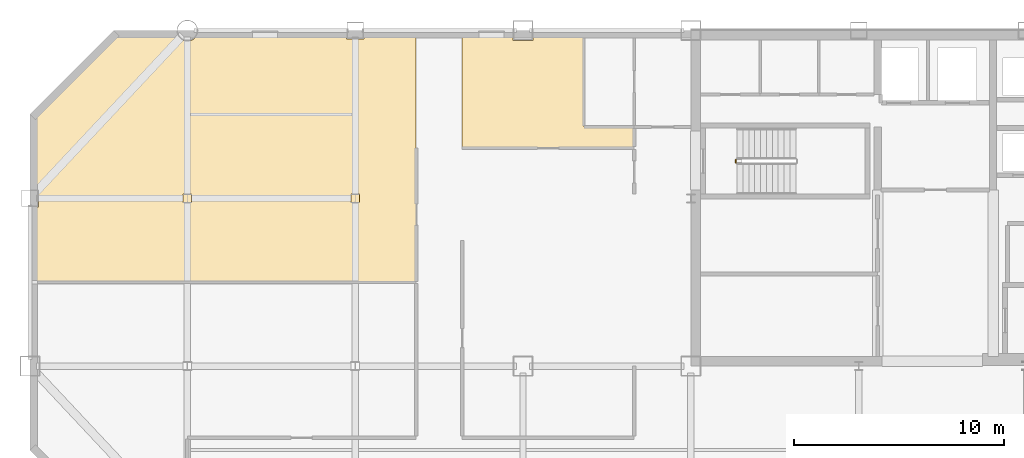
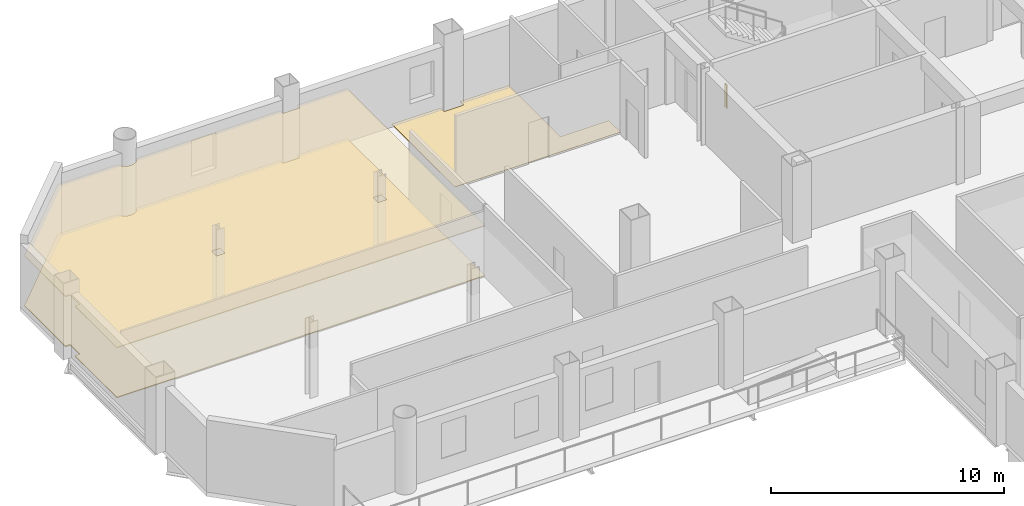
# One storey, part 9 of 10: 3 coverings, 1 railing.
"""IFC4 building model written with IfcOpenShell, lengths in metres."""

from ifc_helpers import new_model, si_unit, direction, frame, origin, origin_2d, place, context, subcontext, project, spatial, polyline, circle, outline, extrude, material, layer, layer_set, type_object, element, save


model = new_model("IFC4")

# Units and contexts
model_context = context("Model", 3, precision=1e-05, world=origin(), true_north=direction((0.0, 1.0)))
body_context = subcontext(model_context, "Body", "Model", "MODEL_VIEW")
ifc_project = project(units=[si_unit("LENGTHUNIT", "METRE"), si_unit("AREAUNIT", "SQUARE_METRE"), si_unit("VOLUMEUNIT", "CUBIC_METRE"), si_unit("PLANEANGLEUNIT", "RADIAN"), si_unit("MASSUNIT", "GRAM", prefix="KILO")], contexts=[model_context])

# Site, building, storey
site_placement = place(None, origin())
site = spatial("IfcSite", under=ifc_project, at=site_placement, CompositionType="ELEMENT")
building_placement = place(site_placement, origin())
building = spatial("IfcBuilding", under=site, at=building_placement, Name="Qianrong Seaharbour Tower", CompositionType="ELEMENT")
storey_placement = place(building_placement, frame((0.0, 0.0, 237.800048828125)))
storey = spatial("IfcBuildingStorey", under=building, at=storey_placement, Name="L57", CompositionType="ELEMENT", Elevation=237.800048828125)

# Coverings
ifc_material_1 = material(Name="Mineral fibre acoustic suspended ceiling board")
ifc_layer_1 = layer(ifc_material_1, 0.0400390625)
ifc_layer_set_1 = layer_set([ifc_layer_1], Name="Mineral fibre acoustic suspended ceiling board")
covering_type_1 = type_object("IfcCoveringType", Name="COV-CEIL-ACOUSTIC-40", PredefinedType="CEILING", material=ifc_layer_set_1)
covering_1_placement = place(storey_placement, frame((0.0, 0.0, 2.614990234375)))
element("IfcCovering", 1, at=covering_1_placement, inside=storey, type_object=covering_type_1, Name="L57 West Wing Open-Plan Office Acoustic Ceiling", PredefinedType="CEILING", context=body_context, shape_type="SweptSolid", body=[
    extrude(outline(polyline([(9.175048828125, 43.590087890625), (9.409912109375, 43.590087890625), (9.409912109375, 44.409912109375), (9.175048828125, 44.409912109375), (9.175048828125, 47.927490234375), (13.072509765625, 51.824951171875), (16.022705078125, 51.824951171875), (16.02880859375, 51.8046875), (16.075927734375, 51.716796875), (16.139404296875, 51.639404296875), (16.216796875, 51.575927734375), (16.3046875, 51.52880859375), (16.400390625, 51.499755859375), (16.5, 51.489990234375), (16.599609375, 51.499755859375), (16.6953125, 51.52880859375), (16.783203125, 51.575927734375), (16.860595703125, 51.639404296875), (16.924072265625, 51.716796875), (16.97119140625, 51.8046875), (16.977294921875, 51.824951171875), (24.090087890625, 51.824951171875), (24.090087890625, 51.590087890625), (24.909912109375, 51.590087890625), (24.909912109375, 51.824951171875), (27.39990234375, 51.824951171875), (27.39990234375, 40.0), (9.175048828125, 40.0), (9.175048828125, 43.590087890625)]), holes=[polyline([(24.7099609375, 43.7900390625), (24.7099609375, 44.2099609375), (24.2900390625, 44.2099609375), (24.2900390625, 43.7900390625), (24.7099609375, 43.7900390625)]), polyline([(16.7099609375, 43.7900390625), (16.7099609375, 44.2099609375), (16.2900390625, 44.2099609375), (16.2900390625, 43.7900390625), (16.7099609375, 43.7900390625)])]), origin(), (0.0, 0.0, 1.0), 0.0400390625),
])
ifc_material_2 = material(Name="Acoustic modular carpet tile flooring")
ifc_layer_2 = layer(ifc_material_2, 0.02001953125)
ifc_layer_set_2 = layer_set([ifc_layer_2], Name="Acoustic modular carpet tile flooring")
covering_type_2 = type_object("IfcCoveringType", Name="COV-FLOOR-CARPET-20", PredefinedType="FLOORING", material=ifc_layer_set_2)
covering_2_placement = place(storey_placement, origin())
element("IfcCovering", 2, at=covering_2_placement, inside=storey, type_object=covering_type_2, Name="L57 Digital Media Hall 2 Finish Flooring", PredefinedType="FLOORING", context=body_context, shape_type="SweptSolid", body=[
    extrude(outline(polyline([(32.014892578125, 51.824951171875), (32.014892578125, 51.514892578125), (32.985107421875, 51.514892578125), (32.985107421875, 51.824951171875), (35.39990234375, 51.824951171875), (35.39990234375, 47.39990234375), (37.800048828125, 47.39990234375), (37.800048828125, 46.39990234375), (29.60009765625, 46.39990234375), (29.60009765625, 51.824951171875), (32.014892578125, 51.824951171875)])), origin(), (0.0, 0.0, 1.0), 0.02001953125),
])
ifc_material_3 = material(Name="Calcium-sulphate raised access floor tile")
ifc_layer_3 = layer(ifc_material_3, 0.044921875)
ifc_layer_set_3 = layer_set([ifc_layer_3], Name="Calcium-sulphate raised access floor tile")
covering_type_3 = type_object("IfcCoveringType", Name="COV-FLOOR-RAISED-45", PredefinedType="FLOORING", material=ifc_layer_set_3)
covering_3_placement = place(storey_placement, origin())
element("IfcCovering", 3, at=covering_3_placement, inside=storey, type_object=covering_type_3, Name="L57 West Wing Open-Plan Office Finish Flooring", PredefinedType="FLOORING", context=body_context, shape_type="SweptSolid", body=[
    extrude(outline(polyline([(9.175048828125, 43.590087890625), (9.409912109375, 43.590087890625), (9.409912109375, 44.409912109375), (9.175048828125, 44.409912109375), (9.175048828125, 47.927490234375), (13.072509765625, 51.824951171875), (16.022705078125, 51.824951171875), (16.02880859375, 51.8046875), (16.075927734375, 51.716796875), (16.139404296875, 51.639404296875), (16.216796875, 51.575927734375), (16.3046875, 51.52880859375), (16.400390625, 51.499755859375), (16.5, 51.489990234375), (16.599609375, 51.499755859375), (16.6953125, 51.52880859375), (16.783203125, 51.575927734375), (16.860595703125, 51.639404296875), (16.924072265625, 51.716796875), (16.97119140625, 51.8046875), (16.977294921875, 51.824951171875), (24.090087890625, 51.824951171875), (24.090087890625, 51.590087890625), (24.909912109375, 51.590087890625), (24.909912109375, 51.824951171875), (27.39990234375, 51.824951171875), (27.39990234375, 40.0), (9.175048828125, 40.0), (9.175048828125, 43.590087890625)])), origin(), (0.0, 0.0, 1.0), 0.044921875),
])

# Railing
ifc_material_4 = material(Name="Galvanized painted steel SN400B stair guard", Category="steel")
railing_type = type_object("IfcRailingType", Name="RAIL-STAIR-GUARD-1220", PredefinedType="GUARDRAIL", material=ifc_material_4)
railing_placement = place(storey_placement, frame((42.64990234375, 45.699951171875, 0.0)))
element("IfcRailing", 4, at=railing_placement, inside=storey, type_object=railing_type, Name="L57 ST-1 stair guard 4", PredefinedType="GUARDRAIL", context=body_context, shape_type="SweptSolid", body=[
    extrude(circle(Radius=0.02392578125, at=origin_2d()), frame((0.0, 0.0, 1.19580078125), z_axis=(0.0, 1.0, 0.0), x_axis=(-1.0, 0.0, 0.0)), (0.0, 0.0, 1.0), 0.150146484375),
    extrude(circle(Radius=0.02099609375, at=origin_2d()), origin(), (0.0, 0.0, 1.0), 1.171875),
    extrude(circle(Radius=0.02099609375, at=origin_2d()), frame((0.0, 0.150146484375, 0.0)), (0.0, 0.0, 1.0), 1.171875),
])

save(model, "model.ifc")
